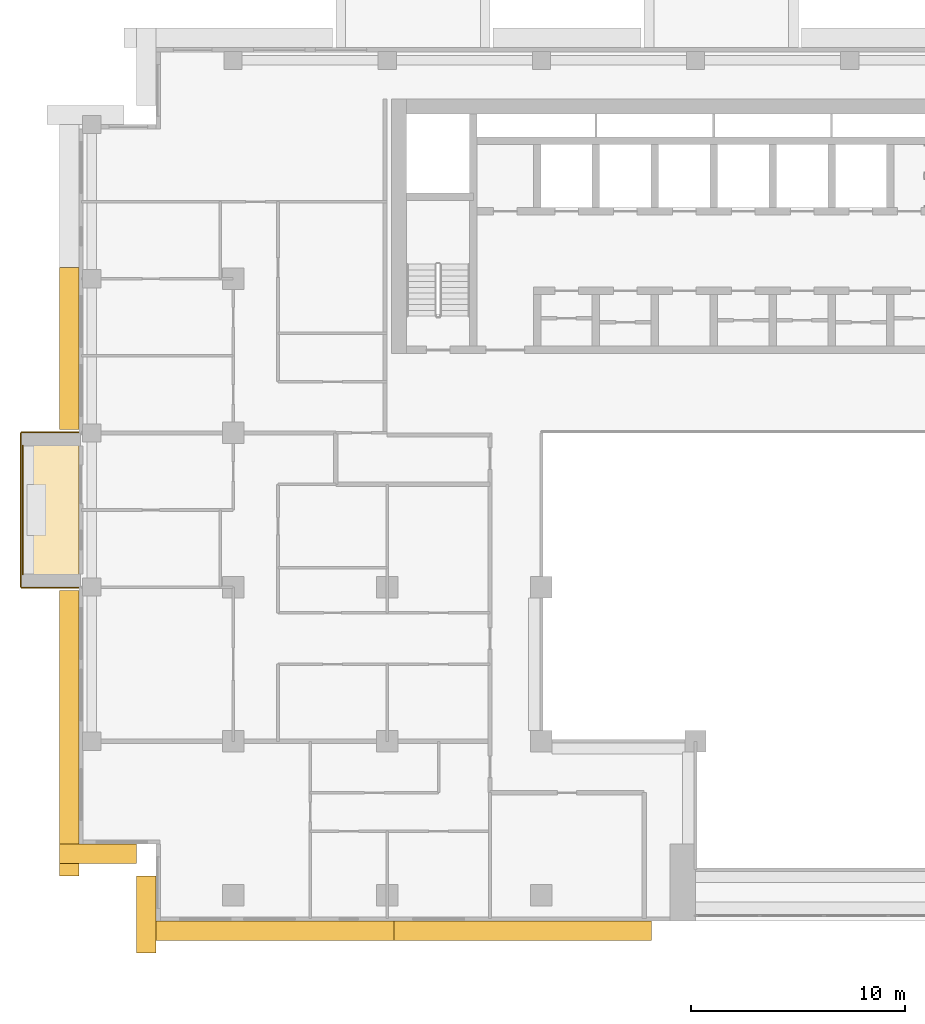
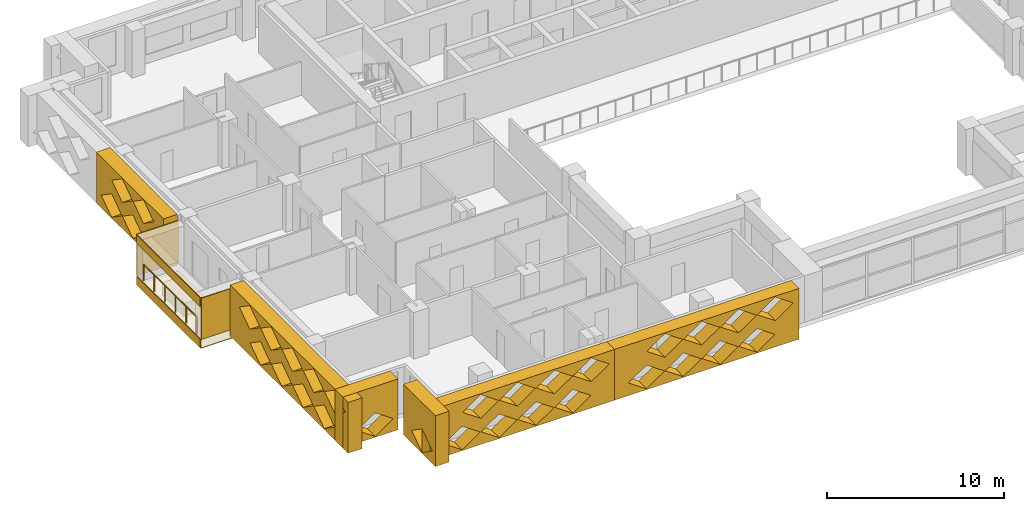
# One storey, part 14 of 20: 11 coverings, 1 railing.
"""IFC4 building model written with IfcOpenShell, lengths in metres."""

from ifc_helpers import new_model, si_unit, direction, frame, origin, origin_2d, place, context, subcontext, project, spatial, polyline, circle, outline, extrude, material, layer, layer_set, type_object, element, save


model = new_model("IFC4")

# Units and contexts
model_context = context("Model", 3, precision=1e-05, world=origin(), true_north=direction((0.0, 1.0)))
body_context = subcontext(model_context, "Body", "Model", "MODEL_VIEW")
ifc_project = project(units=[si_unit("LENGTHUNIT", "METRE"), si_unit("AREAUNIT", "SQUARE_METRE"), si_unit("VOLUMEUNIT", "CUBIC_METRE"), si_unit("PLANEANGLEUNIT", "RADIAN"), si_unit("MASSUNIT", "GRAM", prefix="KILO")], contexts=[model_context])

# Site, building, storey
site_placement = place(None, origin())
site = spatial("IfcSite", under=ifc_project, at=site_placement, CompositionType="ELEMENT")
building_placement = place(site_placement, origin())
building = spatial("IfcBuilding", under=site, at=building_placement, Name="Saffron Iwan Residences", CompositionType="ELEMENT")
storey_placement = place(building_placement, frame((0.0, 0.0, 143.0)))
storey = spatial("IfcBuildingStorey", under=building, at=storey_placement, Name="L37", CompositionType="ELEMENT", Elevation=143.0)

# Railing
ifc_material_1 = material(Name="Stainless steel 316", Category="steel")
railing_type = type_object("IfcRailingType", Name="BALCONY GUARD 1150", PredefinedType="GUARDRAIL", material=ifc_material_1)
railing_placement = place(storey_placement, frame((11.77490234375, 61.800048828125, 0.0)))
element("IfcRailing", 1, at=railing_placement, inside=storey, type_object=railing_type, Name="Balcony guard L37 F8-0", PredefinedType="GUARDRAIL", context=body_context, shape_type="SweptSolid", body=[
    extrude(circle(Radius=0.02392578125, at=origin_2d()), frame((0.0, 0.0, 1.1259765625), z_axis=(0.0, -1.0, 0.0), x_axis=(1.0, 0.0, 0.0)), (0.0, 0.0, 1.0), 6.0),
    extrude(circle(Radius=0.02099609375, at=origin_2d()), origin(), (0.0, 0.0, 1.0), 1.101806640625),
    extrude(circle(Radius=0.02099609375, at=origin_2d()), frame((0.0, -1.199951171875, 0.0)), (0.0, 0.0, 1.0), 1.101806640625),
    extrude(circle(Radius=0.02099609375, at=origin_2d()), frame((0.0, -2.39990234375, 0.0)), (0.0, 0.0, 1.0), 1.101806640625),
    extrude(circle(Radius=0.02099609375, at=origin_2d()), frame((0.0, -3.60009765625, 0.0)), (0.0, 0.0, 1.0), 1.101806640625),
    extrude(circle(Radius=0.02099609375, at=origin_2d()), frame((0.0, -4.800048828125, 0.0)), (0.0, 0.0, 1.0), 1.101806640625),
    extrude(circle(Radius=0.02099609375, at=origin_2d()), frame((0.0, -6.0, 0.0)), (0.0, 0.0, 1.0), 1.101806640625),
])

# Coverings
ifc_material_2 = material(Name="Precast concrete C40/50 white painted", Category="concrete")
ifc_layer = layer(ifc_material_2, 0.050048828125)
ifc_layer_set = layer_set([ifc_layer], Name="Precast concrete C40/50 white painted")
covering_type_1 = type_object("IfcCoveringType", Name="FRAME SKIN PRECAST WHITE 50", PredefinedType="CLADDING", material=ifc_layer_set)
for number, where, name in (
    (2, (0.0, 0.0, -0.60009765625), "Frame skin slab edge L37 F8-0"),
    (3, (0.0, 0.0, 2.25), "Frame skin fascia L37 F8-0"),
):
    element("IfcCovering", number, at=place(storey_placement, frame(where)), inside=storey, type_object=covering_type_1, Name=name, PredefinedType="CLADDING", context=body_context, shape_type="SweptSolid", body=[
        extrude(outline(polyline([(11.64990234375, 62.39990234375), (11.64990234375, 55.199951171875), (11.699951171875, 55.199951171875), (11.699951171875, 62.39990234375), (11.64990234375, 62.39990234375)])), origin(), (0.0, 0.0, 1.0), 0.60009765625),
    ])
covering_1_placement = place(storey_placement, frame((0.0, 0.0, -0.64990234375)))
element("IfcCovering", 4, at=covering_1_placement, inside=storey, type_object=covering_type_1, Name="Frame skin soffit L37 F8-0", PredefinedType="CLADDING", context=body_context, shape_type="SweptSolid", body=[
    extrude(outline(polyline([(11.699951171875, 62.39990234375), (11.699951171875, 55.199951171875), (14.39990234375, 55.199951171875), (14.39990234375, 62.39990234375), (11.699951171875, 62.39990234375)])), origin(), (0.0, 0.0, 1.0), 0.0498046875),
])
covering_2_placement = place(storey_placement, origin())
element("IfcCovering", 5, at=covering_2_placement, inside=storey, type_object=covering_type_1, Name="Frame skin fin L37 F8-0a", PredefinedType="CLADDING", context=body_context, shape_type="SweptSolid", body=[
    extrude(outline(polyline([(11.699951171875, 62.449951171875), (11.699951171875, 62.39990234375), (14.39990234375, 62.39990234375), (14.39990234375, 62.449951171875), (11.699951171875, 62.449951171875)])), origin(), (0.0, 0.0, 1.0), 2.85009765625),
])
covering_3_placement = place(storey_placement, origin())
element("IfcCovering", 6, at=covering_3_placement, inside=storey, type_object=covering_type_1, Name="Frame skin fin L37 F8-0b", PredefinedType="CLADDING", context=body_context, shape_type="SweptSolid", body=[
    extrude(outline(polyline([(11.699951171875, 55.199951171875), (11.699951171875, 55.14990234375), (14.39990234375, 55.14990234375), (14.39990234375, 55.199951171875), (11.699951171875, 55.199951171875)])), origin(), (0.0, 0.0, 1.0), 2.85009765625),
])
ifc_material_3 = material(Name="Precast concrete C40/50", Category="concrete")
covering_type_2 = type_object("IfcCoveringType", Name="OUTER SKIN LATTICE SCREEN", PredefinedType="CLADDING", material=ifc_material_3)
covering_4_placement = place(storey_placement, frame((14.39990234375, 70.125, -0.300048828125), z_axis=(-1.0, 0.0, 0.0), x_axis=(0.0, -1.0, 0.0)))
element("IfcCovering", 7, at=covering_4_placement, inside=storey, type_object=covering_type_2, Name="OUTER SKIN lattice screen L37 F8.1", PredefinedType="CLADDING", context=body_context, shape_type="SweptSolid", body=[
    extrude(outline(polyline([(0.0, 0.0), (7.574951171875, 0.0), (7.574951171875, 3.5), (0.0, 3.5), (0.0, 0.0)]), holes=[polyline([(0.544921875, 0.875), (1.72509765625, 0.06005859375), (2.905029296875, 0.875), (1.72509765625, 1.68994140625), (0.544921875, 0.875)]), polyline([(2.945068359375, 0.875), (4.125, 0.06005859375), (5.304931640625, 0.875), (4.125, 1.68994140625), (2.945068359375, 0.875)]), polyline([(1.7451171875, 2.625), (2.925048828125, 1.81005859375), (4.10498046875, 2.625), (2.925048828125, 3.43994140625), (1.7451171875, 2.625)]), polyline([(4.14501953125, 2.625), (5.324951171875, 1.81005859375), (6.5048828125, 2.625), (5.324951171875, 3.43994140625), (4.14501953125, 2.625)])]), origin(), (0.0, 0.0, 1.0), 0.89990234375),
])
covering_5_placement = place(storey_placement, frame((14.39990234375, 55.050048828125, -0.300048828125), z_axis=(-1.0, 0.0, 0.0), x_axis=(0.0, -1.0, 0.0)))
element("IfcCovering", 8, at=covering_5_placement, inside=storey, type_object=covering_type_2, Name="OUTER SKIN lattice screen L37 F8.2", PredefinedType="CLADDING", context=body_context, shape_type="SweptSolid", body=[
    extrude(outline(polyline([(0.0, 0.0), (13.35009765625, 0.0), (13.35009765625, 3.5), (0.0, 3.5), (0.0, 0.0)]), holes=[polyline([(2.27001953125, 0.875), (3.449951171875, 0.06005859375), (4.6298828125, 0.875), (3.449951171875, 1.68994140625), (2.27001953125, 0.875)]), polyline([(4.669921875, 0.875), (5.85009765625, 0.06005859375), (7.030029296875, 0.875), (5.85009765625, 1.68994140625), (4.669921875, 0.875)]), polyline([(7.070068359375, 0.875), (8.25, 0.06005859375), (9.429931640625, 0.875), (8.25, 1.68994140625), (7.070068359375, 0.875)]), polyline([(9.469970703125, 0.875), (10.64990234375, 0.06005859375), (11.830078125, 0.875), (10.64990234375, 1.68994140625), (9.469970703125, 0.875)]), polyline([(1.070068359375, 2.625), (2.25, 1.81005859375), (3.429931640625, 2.625), (2.25, 3.43994140625), (1.070068359375, 2.625)]), polyline([(3.469970703125, 2.625), (4.64990234375, 1.81005859375), (5.830078125, 2.625), (4.64990234375, 3.43994140625), (3.469970703125, 2.625)]), polyline([(5.8701171875, 2.625), (7.050048828125, 1.81005859375), (8.22998046875, 2.625), (7.050048828125, 3.43994140625), (5.8701171875, 2.625)]), polyline([(8.27001953125, 2.625), (9.449951171875, 1.81005859375), (10.6298828125, 2.625), (9.449951171875, 3.43994140625), (8.27001953125, 2.625)]), polyline([(10.669921875, 2.625), (11.85009765625, 1.81005859375), (13.030029296875, 2.625), (11.85009765625, 3.43994140625), (10.669921875, 2.625)])]), origin(), (0.0, 0.0, 1.0), 0.89990234375),
])
for number, where, z_axis, x_axis, name in (
    (9, (13.5, 43.199951171875, -0.300048828125), (0.0, -1.0, 0.0), (1.0, 0.0, 0.0), "OUTER SKIN lattice screen L37 F9.0"),
    (10, (18.0, 41.699951171875, -0.300048828125), (-1.0, 0.0, 0.0), (0.0, -1.0, 0.0), "OUTER SKIN lattice screen L37 F10.0"),
):
    element("IfcCovering", number, at=place(storey_placement, frame(where, z_axis=z_axis, x_axis=x_axis)), inside=storey, type_object=covering_type_2, Name=name, PredefinedType="CLADDING", context=body_context, shape_type="SweptSolid", body=[
        extrude(outline(polyline([(0.0, 0.0), (3.60009765625, 0.0), (3.60009765625, 3.5), (0.0, 3.5), (0.0, 0.0)]), holes=[polyline([(0.919921875, 0.875), (2.10009765625, 0.06005859375), (3.280029296875, 0.875), (2.10009765625, 1.68994140625), (0.919921875, 0.875)])]), origin(), (0.0, 0.0, 1.0), 0.89990234375),
    ])
covering_6_placement = place(storey_placement, frame((17.10009765625, 39.60009765625, -0.300048828125), z_axis=(0.0, -1.0, 0.0), x_axis=(1.0, 0.0, 0.0)))
element("IfcCovering", 11, at=covering_6_placement, inside=storey, type_object=covering_type_2, Name="OUTER SKIN lattice screen L37 F11.0", PredefinedType="CLADDING", context=body_context, shape_type="SweptSolid", body=[
    extrude(outline(polyline([(0.0, 0.0), (12.02490234375, 0.0), (12.02490234375, 3.5), (0.0, 3.5), (0.0, 0.0)]), holes=[polyline([(0.919921875, 0.875), (2.10009765625, 0.06005859375), (3.280029296875, 0.875), (2.10009765625, 1.68994140625), (0.919921875, 0.875)]), polyline([(3.320068359375, 0.875), (4.5, 0.06005859375), (5.679931640625, 0.875), (4.5, 1.68994140625), (3.320068359375, 0.875)]), polyline([(5.719970703125, 0.875), (6.89990234375, 0.06005859375), (8.080078125, 0.875), (6.89990234375, 1.68994140625), (5.719970703125, 0.875)]), polyline([(8.1201171875, 0.875), (9.300048828125, 0.06005859375), (10.47998046875, 0.875), (9.300048828125, 1.68994140625), (8.1201171875, 0.875)]), polyline([(2.1201171875, 2.625), (3.300048828125, 1.81005859375), (4.47998046875, 2.625), (3.300048828125, 3.43994140625), (2.1201171875, 2.625)]), polyline([(4.52001953125, 2.625), (5.699951171875, 1.81005859375), (6.8798828125, 2.625), (5.699951171875, 3.43994140625), (4.52001953125, 2.625)]), polyline([(6.919921875, 2.625), (8.10009765625, 1.81005859375), (9.280029296875, 2.625), (8.10009765625, 3.43994140625), (6.919921875, 2.625)]), polyline([(9.320068359375, 2.625), (10.5, 1.81005859375), (11.679931640625, 2.625), (10.5, 3.43994140625), (9.320068359375, 2.625)])]), origin(), (0.0, 0.0, 1.0), 0.900146484375),
])
covering_7_placement = place(storey_placement, frame((29.125, 39.60009765625, -0.300048828125), z_axis=(0.0, -1.0, 0.0), x_axis=(1.0, 0.0, 0.0)))
element("IfcCovering", 12, at=covering_7_placement, inside=storey, type_object=covering_type_2, Name="OUTER SKIN lattice screen L37 F11.1", PredefinedType="CLADDING", context=body_context, shape_type="SweptSolid", body=[
    extrude(outline(polyline([(0.0, 0.0), (12.02490234375, 0.0), (12.02490234375, 3.5), (0.0, 3.5), (0.0, 0.0)]), holes=[polyline([(0.89501953125, 0.875), (2.074951171875, 0.06005859375), (3.2548828125, 0.875), (2.074951171875, 1.68994140625), (0.89501953125, 0.875)]), polyline([(3.294921875, 0.875), (4.47509765625, 0.06005859375), (5.655029296875, 0.875), (4.47509765625, 1.68994140625), (3.294921875, 0.875)]), polyline([(5.695068359375, 0.875), (6.875, 0.06005859375), (8.054931640625, 0.875), (6.875, 1.68994140625), (5.695068359375, 0.875)]), polyline([(8.094970703125, 0.875), (9.27490234375, 0.06005859375), (10.455078125, 0.875), (9.27490234375, 1.68994140625), (8.094970703125, 0.875)]), polyline([(2.094970703125, 2.625), (3.27490234375, 1.81005859375), (4.455078125, 2.625), (3.27490234375, 3.43994140625), (2.094970703125, 2.625)]), polyline([(4.4951171875, 2.625), (5.675048828125, 1.81005859375), (6.85498046875, 2.625), (5.675048828125, 3.43994140625), (4.4951171875, 2.625)]), polyline([(6.89501953125, 2.625), (8.074951171875, 1.81005859375), (9.2548828125, 2.625), (8.074951171875, 3.43994140625), (6.89501953125, 2.625)]), polyline([(9.294921875, 2.625), (10.47509765625, 1.81005859375), (11.655029296875, 2.625), (10.47509765625, 3.43994140625), (9.294921875, 2.625)])]), origin(), (0.0, 0.0, 1.0), 0.900146484375),
])

save(model, "model.ifc")
